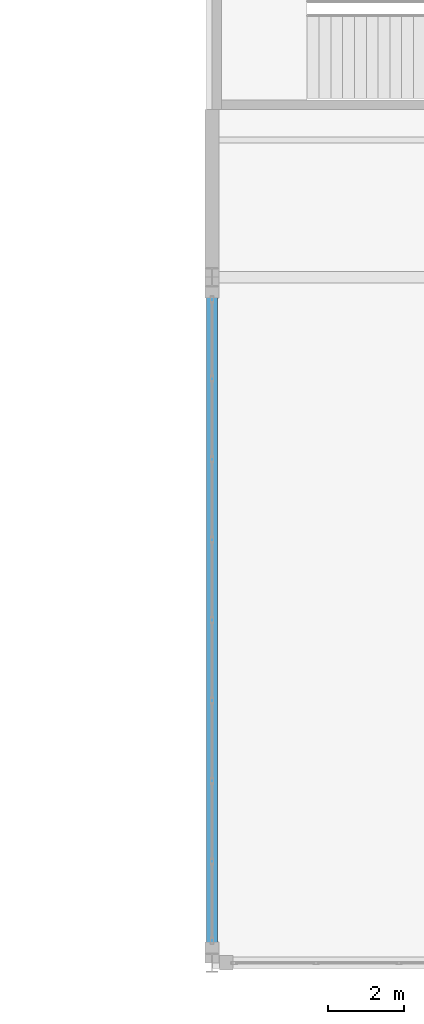
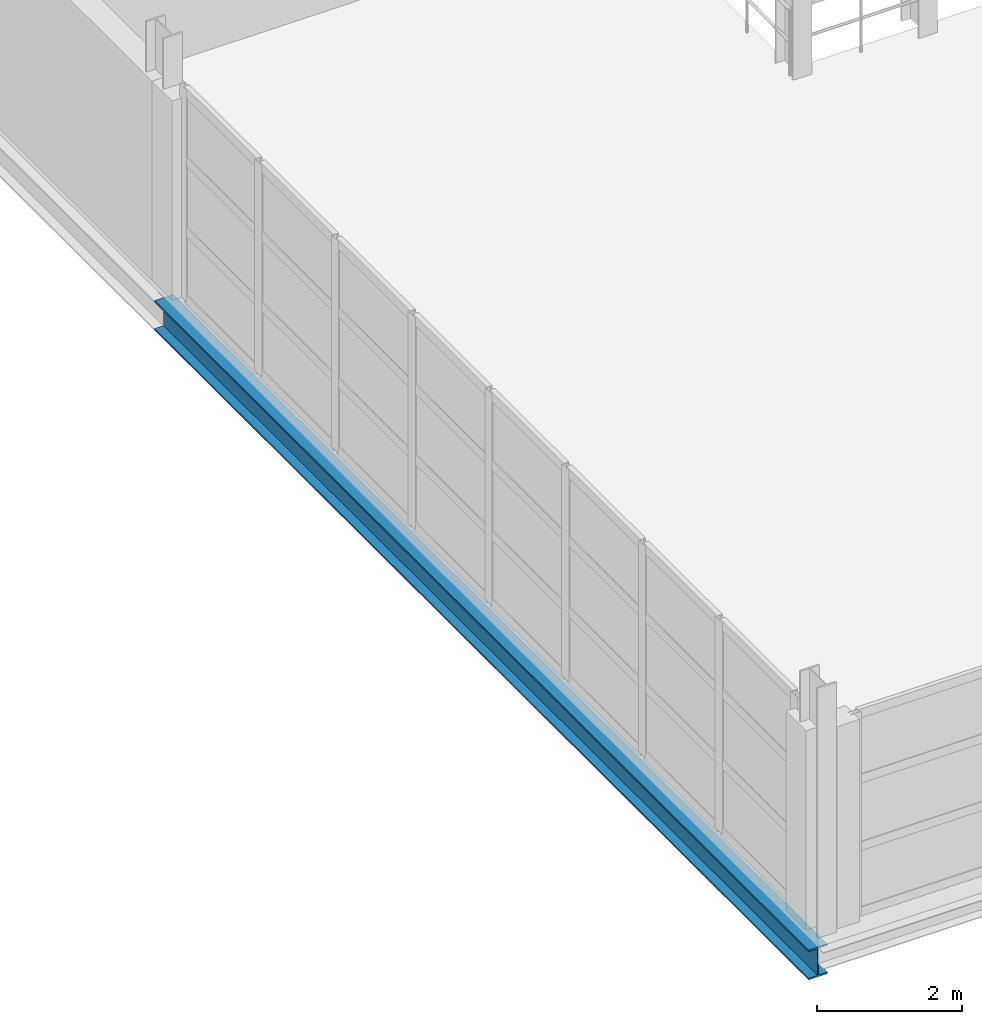
# One storey, part 24 of 158: 1 beam.
"""IFC4 building model written with IfcOpenShell, lengths in metres."""

from ifc_helpers import new_model, si_unit, direction, frame, origin, origin_2d, place, context, subcontext, project, spatial, i_section, extrude, material, material_profile, profile_set, type_object, element, save


model = new_model("IFC4")

# Units and contexts
model_context = context("Model", 3, precision=1e-05, world=origin(), true_north=direction((0.0, 1.0)))
body_context = subcontext(model_context, "Body", "Model", "MODEL_VIEW")
ifc_project = project(units=[si_unit("LENGTHUNIT", "METRE"), si_unit("AREAUNIT", "SQUARE_METRE"), si_unit("VOLUMEUNIT", "CUBIC_METRE"), si_unit("PLANEANGLEUNIT", "RADIAN"), si_unit("MASSUNIT", "GRAM", prefix="KILO")], contexts=[model_context])

# Site, building, storey
site_placement = place(None, origin())
site = spatial("IfcSite", under=ifc_project, at=site_placement, CompositionType="ELEMENT")
building_placement = place(site_placement, origin())
building = spatial("IfcBuilding", under=site, at=building_placement, Name="Zilviju Railside Exhibition Hall", CompositionType="ELEMENT")
storey_placement = place(building_placement, frame((0.0, 0.0, 4.199951171875)))
storey = spatial("IfcBuildingStorey", under=building, at=storey_placement, Name="L02", CompositionType="ELEMENT", Elevation=4.199951171875)

# Beam
ifc_material = material(Name="Steel S355J2", Category="steel")
ifc_material_profile = material_profile(ifc_material, i_section(OverallWidth=0.300048828125, OverallDepth=0.5, WebThickness=0.014404296875, FlangeThickness=0.028076171875, at=origin_2d()), Name="HEB 500")
ifc_profile_set = profile_set([ifc_material_profile], Name="Steel S355J2")
beam_type = type_object("IfcBeamType", Name="BM-HEB500", PredefinedType="BEAM", material=ifc_profile_set)
beam_placement = place(storey_placement, frame((48.0, 0.0, -0.599853515625), z_axis=(0.0, 1.0, 0.0), x_axis=(-1.0, 0.0, 0.0)))
element("IfcBeam", 1, at=beam_placement, inside=storey, type_object=beam_type, Name="Transverse Girder L02 X=48.0 (0.0..18.0)", PredefinedType="BEAM", context=body_context, shape_type="SweptSolid", body=[
    extrude(i_section(OverallWidth=0.300048828125, OverallDepth=0.5, WebThickness=0.014404296875, FlangeThickness=0.028076171875, at=origin_2d()), origin(), (0.0, 0.0, 1.0), 18.0),
])

save(model, "model.ifc")
